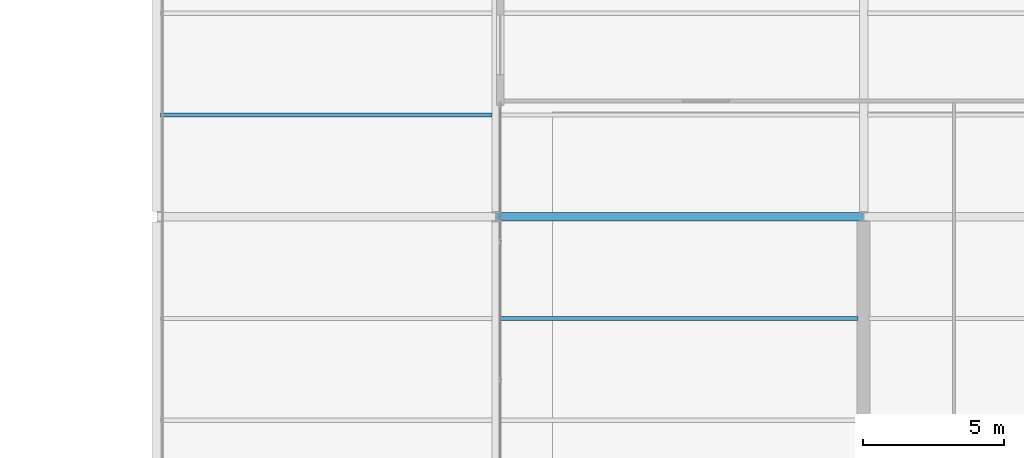
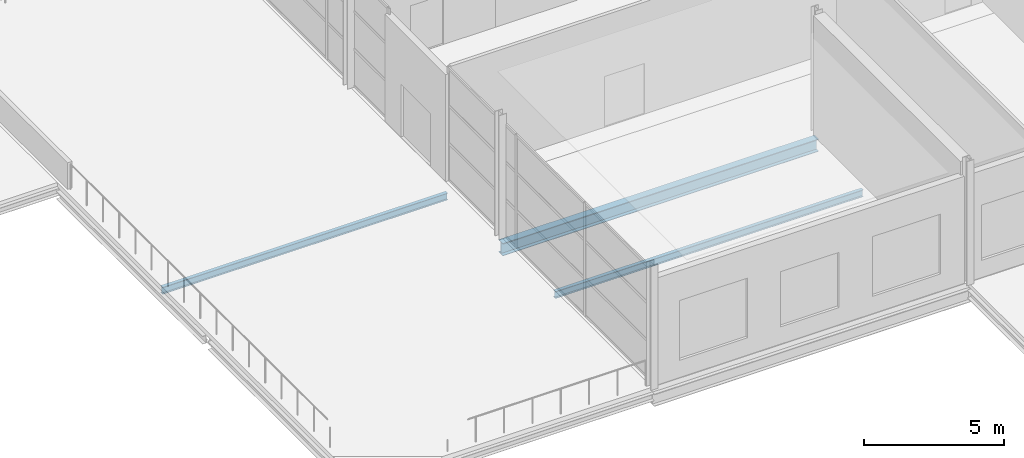
# One storey, part 8 of 34: 3 beams.
"""IFC4 building model written with IfcOpenShell, lengths in metres."""

from ifc_helpers import new_model, si_unit, direction, frame, origin, origin_2d, place, context, subcontext, project, spatial, i_section, extrude, material, material_profile, profile_set, type_object, element, save


model = new_model("IFC4")

# Units and contexts
model_context = context("Model", 3, precision=1e-05, world=origin(), true_north=direction((0.0, 1.0)))
body_context = subcontext(model_context, "Body", "Model", "MODEL_VIEW")
ifc_project = project(units=[si_unit("LENGTHUNIT", "METRE"), si_unit("AREAUNIT", "SQUARE_METRE"), si_unit("VOLUMEUNIT", "CUBIC_METRE"), si_unit("PLANEANGLEUNIT", "RADIAN"), si_unit("MASSUNIT", "GRAM", prefix="KILO")], contexts=[model_context])

# Site, building, storey
site_placement = place(None, origin())
site = spatial("IfcSite", under=ifc_project, at=site_placement, CompositionType="ELEMENT")
building_placement = place(site_placement, origin())
building = spatial("IfcBuilding", under=site, at=building_placement, Name="Tamarisk Ironworks Central Station", CompositionType="ELEMENT")
storey_placement = place(building_placement, frame((0.0, 0.0, 25.199951171875)))
storey = spatial("IfcBuildingStorey", under=building, at=storey_placement, Name="L05", CompositionType="ELEMENT", Elevation=25.199951171875)

# Beams
ifc_material = material(Name="Structural steel S355J2", Category="steel")
ifc_material_profile_1 = material_profile(ifc_material, i_section(OverallWidth=0.14990234375, OverallDepth=0.300048828125, WebThickness=0.007080078125, FlangeThickness=0.0107421875, at=origin_2d()), Name="IPE 300")
ifc_profile_set_1 = profile_set([ifc_material_profile_1], Name="Structural steel S355J2")
beam_type_1 = type_object("IfcBeamType", Name="BM-B07", PredefinedType="BEAM", material=ifc_profile_set_1)
beam_1_placement = place(storey_placement, frame((128.135009765625, 104.39990234375, -0.349853515625), z_axis=(1.0, 0.0, 0.0), x_axis=(0.0, 1.0, 0.0)))
element("IfcBeam", 1, at=beam_1_placement, inside=storey, type_object=beam_type_1, Name="L05 secondary composite beam 0264", PredefinedType="BEAM", context=body_context, shape_type="SweptSolid", body=[
    extrude(i_section(OverallWidth=0.14990234375, OverallDepth=0.300048828125, WebThickness=0.007080078125, FlangeThickness=0.0107421875, at=origin_2d()), origin(), (0.0, 0.0, 1.0), 11.72998046875),
])
beam_2_placement = place(storey_placement, frame((140.135009765625, 97.199951171875, -0.369873046875), z_axis=(1.0, 0.0, 0.0), x_axis=(0.0, 1.0, 0.0)))
element("IfcBeam", 2, at=beam_2_placement, inside=storey, type_object=beam_type_1, Name="L05 secondary composite beam 0267", PredefinedType="BEAM", context=body_context, shape_type="SweptSolid", body=[
    extrude(i_section(OverallWidth=0.14990234375, OverallDepth=0.300048828125, WebThickness=0.007080078125, FlangeThickness=0.0107421875, at=origin_2d()), origin(), (0.0, 0.0, 1.0), 12.6650390625),
])
ifc_material_profile_2 = material_profile(ifc_material, i_section(OverallWidth=0.300048828125, OverallDepth=0.5400390625, WebThickness=0.012451171875, FlangeThickness=0.02392578125, at=origin_2d()), Name="HEA 550")
ifc_profile_set_2 = profile_set([ifc_material_profile_2], Name="Structural steel S355J2")
beam_type_2 = type_object("IfcBeamType", Name="BM-G04", PredefinedType="BEAM", material=ifc_profile_set_2)
beam_3_placement = place(storey_placement, frame((140.00390625, 100.800048828125, -0.489990234375), z_axis=(1.0, 0.0, 0.0), x_axis=(0.0, 1.0, 0.0)))
element("IfcBeam", 3, at=beam_3_placement, inside=storey, type_object=beam_type_2, Name="L05 primary girder X-0757", PredefinedType="BEAM", context=body_context, shape_type="SweptSolid", body=[
    extrude(i_section(OverallWidth=0.300048828125, OverallDepth=0.5400390625, WebThickness=0.012451171875, FlangeThickness=0.02392578125, at=origin_2d()), origin(), (0.0, 0.0, 1.0), 12.9921875),
])

save(model, "model.ifc")
